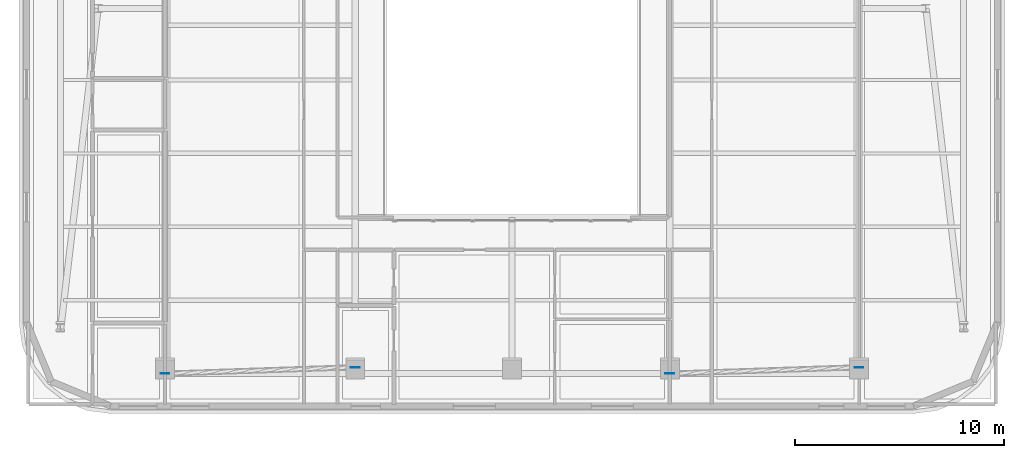
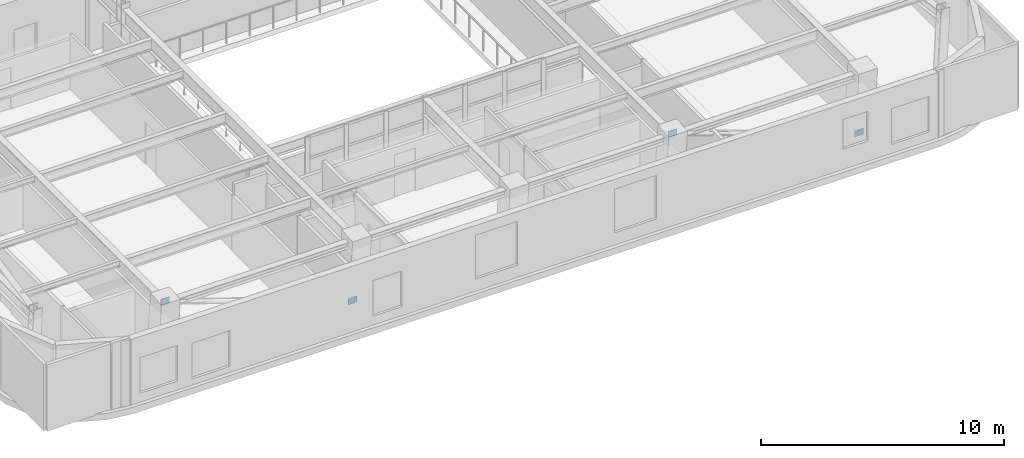
# One storey, part 5 of 14: 4 plates.
"""IFC4 building model written with IfcOpenShell, lengths in metres."""

from ifc_helpers import new_model, si_unit, direction, frame, origin, origin_2d, place, context, subcontext, project, spatial, rectangle, extrude, material, layer, layer_set, type_object, element, save


model = new_model("IFC4")

# Units and contexts
model_context = context("Model", 3, precision=1e-05, world=origin(), true_north=direction((0.0, 1.0)))
body_context = subcontext(model_context, "Body", "Model", "MODEL_VIEW")
ifc_project = project(units=[si_unit("LENGTHUNIT", "METRE"), si_unit("AREAUNIT", "SQUARE_METRE"), si_unit("VOLUMEUNIT", "CUBIC_METRE"), si_unit("PLANEANGLEUNIT", "RADIAN"), si_unit("MASSUNIT", "GRAM", prefix="KILO")], contexts=[model_context])

# Site, building, storey
site_placement = place(None, origin())
site = spatial("IfcSite", under=ifc_project, at=site_placement, CompositionType="ELEMENT")
building_placement = place(site_placement, origin())
building = spatial("IfcBuilding", under=site, at=building_placement, Name="Zarnavel Station Tower", CompositionType="ELEMENT")
storey_placement = place(building_placement, frame((0.0, 0.0, 218.39990234375)))
storey = spatial("IfcBuildingStorey", under=building, at=storey_placement, Name="L59", CompositionType="ELEMENT", Elevation=218.39990234375)

# Plates
ifc_material = material(Name="Steel S460M", Category="steel")
ifc_layer = layer(ifc_material, 0.02490234375)
ifc_layer_set = layer_set([ifc_layer], Name="GP_GUSSET_25")
plate_type = type_object("IfcPlateType", Name="GP_GUSSET_25", PredefinedType="USERDEFINED", material=ifc_layer_set)
for number, where, z_axis, x_axis, name in (
    (1, (21.300048828125, 6.4365234375, -0.14990234375), (0.0, 0.0, 1.0), (1.0, 0.0, 0.0), "L59 Exterior Diagonal Brace End Gusset 1-1"),
    (2, (12.199951171875, 6.1337890625, 3.18994140625), (0.0, 0.0, 1.0), (1.0, 0.0, 0.0), "L59 Exterior Diagonal Brace End Gusset 1-2"),
    (3, (45.39990234375, 6.4365234375, -0.14990234375), (0.0, 0.0, 1.0), (1.0, 0.0, 0.0), "L59 Exterior Diagonal Brace End Gusset 2-1"),
    (4, (36.35009765625, 6.1337890625, 3.18994140625), (0.0, 0.0, 1.0), (1.0, 0.0, 0.0), "L59 Exterior Diagonal Brace End Gusset 2-2"),
):
    element("IfcPlate", number, at=place(storey_placement, frame(where, z_axis=z_axis, x_axis=x_axis)), inside=storey, type_object=plate_type, Name=name, ObjectType="GUSSET_PLATE", PredefinedType="USERDEFINED", context=body_context, shape_type="SweptSolid", body=[
        extrude(rectangle(XDim=0.419921875, YDim=0.02490234375, at=origin_2d()), origin(), (0.0, 0.0, 1.0), 0.300048828125),
    ])

save(model, "model.ifc")
